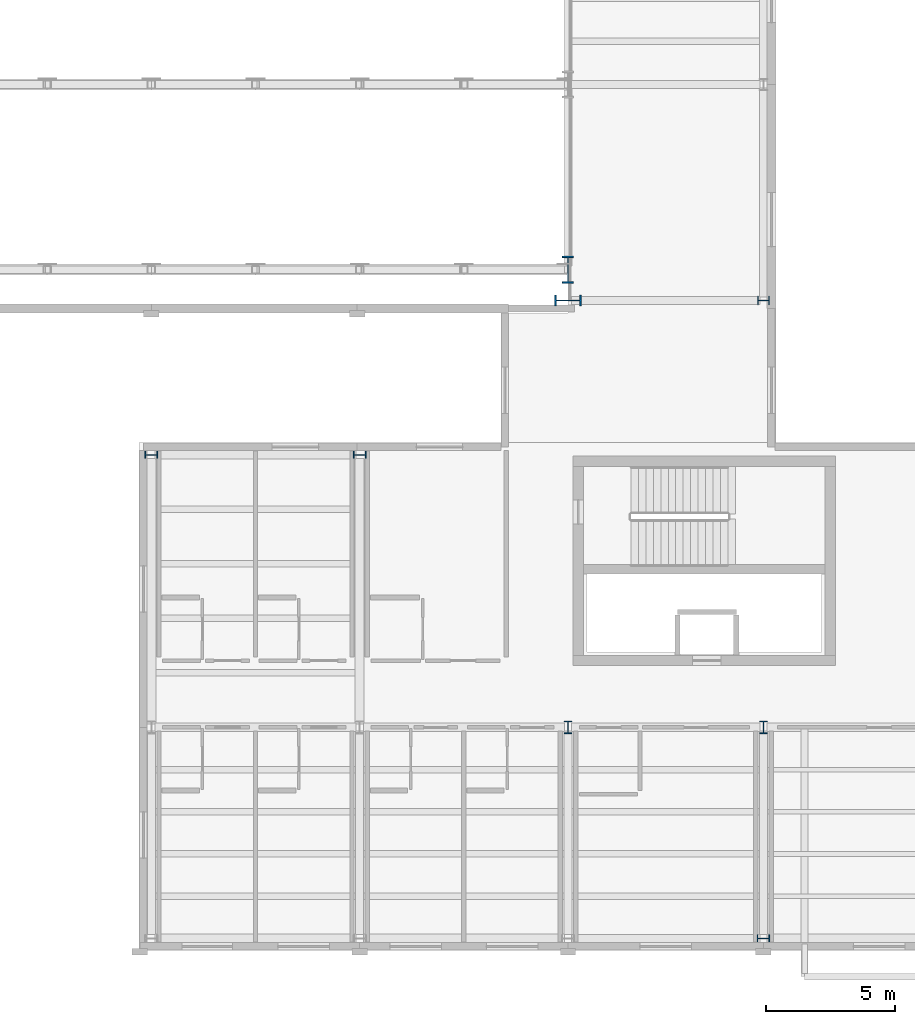
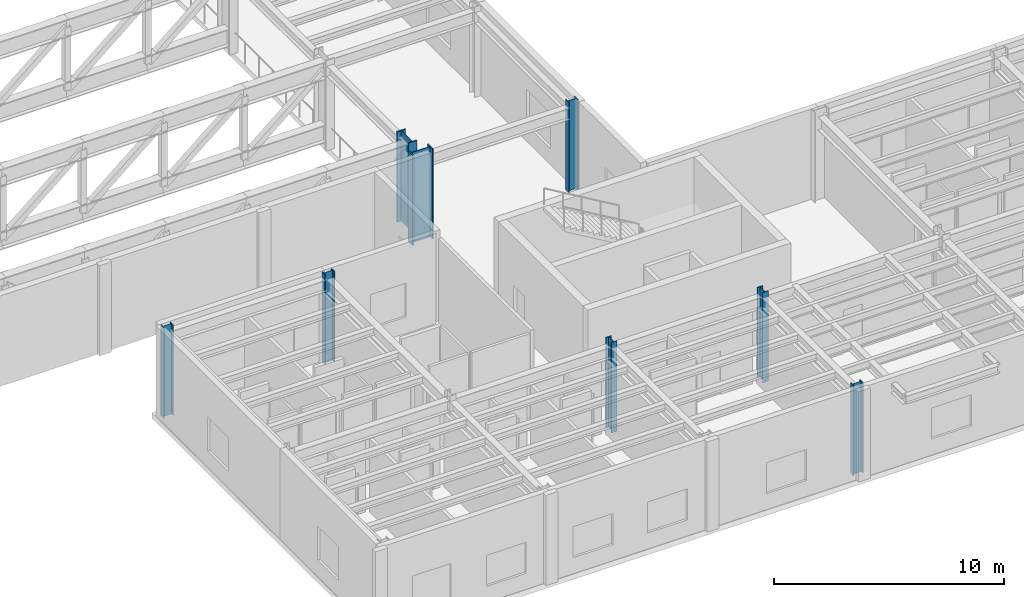
# One storey, part 2 of 91: 8 columns.
"""IFC4 building model written with IfcOpenShell, lengths in metres."""

import ifcopenshell
import ifcopenshell.guid

model = None  # the IFC model being written
_history = None  # IfcOwnerHistory: only IFC2X3 demands one
_inside = {}  # id of a spatial element -> (the spatial element, [elements in it])
_under = {}  # id of a project, library or spatial element -> (it, [spatial elements below it])
_declared = {}  # id of a project -> (the project, [libraries it declares])
_typed = {}  # id of a type object -> (the type object, [elements of that type])
_made_of = {}  # id of a material, layer set ... -> (it, [elements and type objects made of it])


def new_model(schema):
    """Start an empty IFC model of exactly this schema.

    Asked for "IFC4X3", IfcOpenShell would pick the latest addendum, in which some entities
    have other attributes; the version numbers below select the first issue.
    IFC2X3 requires an IfcOwnerHistory on every rooted entity: one is made here for all.
    """
    global model, _history
    if schema == "IFC4X3":
        model = ifcopenshell.file(schema_version=(4, 3, 0, 0))
    else:
        model = ifcopenshell.file(schema=schema)
    _inside.clear()
    _under.clear()
    _declared.clear()
    _typed.clear()
    _made_of.clear()
    _history = None
    if model.schema == "IFC2X3":
        org = make("IfcOrganization", Name="unknown")
        user = make(
            "IfcPersonAndOrganization",
            ThePerson=make("IfcPerson", FamilyName="unknown"),
            TheOrganization=org,
        )
        app = make(
            "IfcApplication",
            ApplicationDeveloper=org,
            Version="unknown",
            ApplicationFullName="unknown",
            ApplicationIdentifier="unknown",
        )
        _history = make(
            "IfcOwnerHistory",
            OwningUser=user,
            OwningApplication=app,
            ChangeAction="ADDED",
            CreationDate=0,
        )
    return model


def make(cls, **values):
    """One entity of the class cls with the attributes given. An attribute that is None is left unset."""
    return model.create_entity(
        cls, **{name: value for name, value in values.items() if value is not None}
    )


def rooted(cls, **values):
    """An entity with a GlobalId (a new one), such as an element, a storey or a relation."""
    return make(cls, GlobalId=ifcopenshell.guid.new(), OwnerHistory=_history, **values)


def si_unit(unit_type, name, prefix=None):
    """IfcSIUnit, for example si_unit("LENGTHUNIT", "METRE", prefix="MILLI")."""
    return make("IfcSIUnit", UnitType=unit_type, Prefix=prefix, Name=name)


def assignment(units):
    """IfcUnitAssignment: the units of a project."""
    return None if units is None else make("IfcUnitAssignment", Units=units)


def point(xyz):
    """IfcCartesianPoint."""
    return None if xyz is None else make("IfcCartesianPoint", Coordinates=xyz)


def direction(xyz):
    """IfcDirection."""
    return None if xyz is None else make("IfcDirection", DirectionRatios=xyz)


def frame(location, z_axis=None, x_axis=None):
    """IfcAxis2Placement3D, a coordinate frame: its origin and axes. An axis left out is left unset."""
    return make(
        "IfcAxis2Placement3D",
        Location=point(location),
        Axis=direction(z_axis),
        RefDirection=direction(x_axis),
    )


def frame_2d(location, x_axis=None):
    """IfcAxis2Placement2D, a coordinate frame in the plane: its origin and x axis."""
    return make(
        "IfcAxis2Placement2D", Location=point(location), RefDirection=direction(x_axis)
    )


def origin():
    """The frame at (0, 0, 0) with its axes left unset."""
    return frame((0.0, 0.0, 0.0))


def origin_2d():
    """The frame at (0, 0) in the plane with its x axis left unset."""
    return frame_2d((0.0, 0.0))


def place(relative_to, where):
    """IfcLocalPlacement: puts the frame where relative to a parent placement (None: the world)."""
    return make(
        "IfcLocalPlacement", PlacementRelTo=relative_to, RelativePlacement=where
    )


def context(
    kind, dimensions, precision=None, world=None, true_north=None, identifier=None
):
    """IfcGeometricRepresentationContext, for example the 3D "Model" context."""
    return make(
        "IfcGeometricRepresentationContext",
        ContextIdentifier=identifier,
        ContextType=kind,
        CoordinateSpaceDimension=dimensions,
        Precision=precision,
        WorldCoordinateSystem=world,
        TrueNorth=true_north,
    )


def subcontext(parent, identifier, kind, view, scale=None):
    """IfcGeometricRepresentationSubContext, for example "Body" below "Model"."""
    return make(
        "IfcGeometricRepresentationSubContext",
        ContextIdentifier=identifier,
        ContextType=kind,
        ParentContext=parent,
        TargetScale=scale,
        TargetView=view,
    )


def project(units=None, contexts=None):
    """IfcProject with its units and contexts."""
    return rooted(
        "IfcProject",
        Name="project",
        RepresentationContexts=contexts,
        UnitsInContext=assignment(units),
    )


def spatial(cls, under=None, at=None, **own):
    """A site, building, storey or space (cls), placed at a placement, below another one or the project."""
    s = rooted(cls, ObjectPlacement=at, **own)
    if under is not None:
        _under.setdefault(under.id(), (under, []))[1].append(s)
    return s


def profile(cls, at=None, kind="AREA", **sizes):
    """A parametric profile (cls). Its sizes go by their IFC names, for example OverallWidth=200.0."""
    return make(cls, ProfileType=kind, Position=at, **sizes)


def i_section(**sizes):
    """IfcIShapeProfileDef."""
    return profile("IfcIShapeProfileDef", **sizes)


def extrude(swept, where, along, depth):
    """IfcExtrudedAreaSolid: the profile swept, set in the frame where, extruded along a direction by depth."""
    return make(
        "IfcExtrudedAreaSolid",
        SweptArea=swept,
        Position=where,
        ExtrudedDirection=direction(along),
        Depth=depth,
    )


def shape(context_of_items, identifier, shape_type, items):
    """IfcShapeRepresentation: the items that make up one representation, for example the "Body"."""
    return make(
        "IfcShapeRepresentation",
        ContextOfItems=context_of_items,
        RepresentationIdentifier=identifier,
        RepresentationType=shape_type,
        Items=items,
    )


def material(Name=None, Category=None):
    """IfcMaterial."""
    return make("IfcMaterial", Name=Name, Category=Category)


def material_profile(
    of_material, cross_section, Name=None, Category=None, Priority=None
):
    """IfcMaterialProfile: a cross section and its material."""
    return make(
        "IfcMaterialProfile",
        Name=Name,
        Material=of_material,
        Profile=cross_section,
        Priority=Priority,
        Category=Category,
    )


def profile_set(profiles, Name=None, composite=None):
    """IfcMaterialProfileSet."""
    return make(
        "IfcMaterialProfileSet",
        Name=Name,
        MaterialProfiles=profiles,
        CompositeProfile=composite,
    )


def made_of(thing, what):
    """Note that an element or type object is made of a material, layer set ...; save() writes the relation."""
    if what is not None:
        _made_of.setdefault(what.id(), (what, []))[1].append(thing)
    return thing


def type_object(cls, material=None, **own):
    """A type object (cls), such as IfcWallType, which elements share."""
    return made_of(rooted(cls, **own), material)


def element(
    cls,
    number,
    at=None,
    inside=None,
    cuts=None,
    type_object=None,
    material=None,
    context=None,
    identifier="Body",
    shape_type=None,
    held_by="IfcProductDefinitionShape",
    body=None,
    shapes=None,
    **own,
):
    """One element of the class cls, such as IfcWall. Its Tag is "e" and its number.

    at: its placement. inside: the storey or other place that contains it. cuts: it is an
    opening in that element (IfcRelVoidsElement). A single representation is given by context,
    identifier, shape_type and body (its items); several are given by shapes. held_by: the class
    of the entity that holds the representations. save() writes the other relations.
    """
    e = rooted(cls, Tag="e%d" % number, ObjectPlacement=at, **own)
    if body is not None:
        shapes = [shape(context, identifier, shape_type, body)]
    if shapes is not None:
        e.Representation = make(held_by, Representations=shapes)
    if inside is not None:
        _inside.setdefault(inside.id(), (inside, []))[1].append(e)
    if cuts is not None:
        rooted(
            "IfcRelVoidsElement", RelatingBuildingElement=cuts, RelatedOpeningElement=e
        )
    if type_object is not None:
        _typed.setdefault(type_object.id(), (type_object, []))[1].append(e)
    return made_of(e, material)


def aggregate(whole, parts):
    """IfcRelAggregates: a whole, such as a stair, and the parts it consists of."""
    return rooted("IfcRelAggregates", RelatingObject=whole, RelatedObjects=parts)


def save(model, path):
    """Write the relations noted so far, then the file.

    IfcRelAggregates (storeys below a building ...), IfcRelContainedInSpatialStructure (elements
    in a storey), IfcRelDefinesByType, IfcRelAssociatesMaterial and IfcRelDeclares: one each for
    every whole, place, type object, material and project.
    """
    for whole, parts in _under.values():
        aggregate(whole, parts)
    for where, things in _inside.values():
        rooted(
            "IfcRelContainedInSpatialStructure",
            RelatedElements=things,
            RelatingStructure=where,
        )
    for kind, things in _typed.values():
        rooted("IfcRelDefinesByType", RelatedObjects=things, RelatingType=kind)
    for what, things in _made_of.values():
        rooted("IfcRelAssociatesMaterial", RelatedObjects=things, RelatingMaterial=what)
    for by, libraries in _declared.values():
        rooted("IfcRelDeclares", RelatingContext=by, RelatedDefinitions=libraries)
    model.write(path)


model = new_model("IFC4")

# Units and contexts
model_context = context("Model", 3, precision=1e-05, world=origin(), true_north=direction((0.0, 1.0)))
body_context = subcontext(model_context, "Body", "Model", "MODEL_VIEW")
ifc_project = project(units=[si_unit("LENGTHUNIT", "METRE"), si_unit("AREAUNIT", "SQUARE_METRE"), si_unit("VOLUMEUNIT", "CUBIC_METRE"), si_unit("PLANEANGLEUNIT", "RADIAN"), si_unit("MASSUNIT", "GRAM", prefix="KILO")], contexts=[model_context])

# Site, building, storey
site_placement = place(None, origin())
site = spatial("IfcSite", under=ifc_project, at=site_placement, CompositionType="ELEMENT")
building_placement = place(site_placement, origin())
building = spatial("IfcBuilding", under=site, at=building_placement, Name="Sollismere Congress Hotel", CompositionType="ELEMENT")
storey_placement = place(building_placement, frame((0.0, 0.0, 10.800048828125)))
storey = spatial("IfcBuildingStorey", under=building, at=storey_placement, Name="L02", CompositionType="ELEMENT", Elevation=10.800048828125)

# Columns
ifc_material = material(Name="Steel ASTM A992 Grade 50", Category="steel")
ifc_material_profile_1 = material_profile(ifc_material, i_section(OverallWidth=0.330078125, OverallDepth=0.4599609375, WebThickness=0.016357421875, FlangeThickness=0.026123046875, at=origin_2d()), Name="W14X132")
ifc_profile_set_1 = profile_set([ifc_material_profile_1], Name="Steel ASTM A992 Grade 50")
column_type_1 = type_object("IfcColumnType", Name="COL-W14H", PredefinedType="COLUMN", material=ifc_profile_set_1)
column_placement = place(storey_placement, frame((58.0, 24.800048828125, 0.0), z_axis=(0.0, 0.0, 1.0), x_axis=(0.0, 1.0, 0.0)))
element("IfcColumn", 1, at=column_placement, inside=storey, type_object=column_type_1, Name="Column CL-L02-247", PredefinedType="COLUMN", context=body_context, shape_type="SweptSolid", body=[
    extrude(i_section(OverallWidth=0.330078125, OverallDepth=0.4599609375, WebThickness=0.016357421875, FlangeThickness=0.026123046875, at=origin_2d()), origin(), (0.0, 0.0, 1.0), 4.800048828125),
])
ifc_material_profile_2 = material_profile(ifc_material, i_section(OverallWidth=0.283935546875, OverallDepth=0.4951171875, WebThickness=0.0185546875, FlangeThickness=0.033447265625, at=origin_2d()), Name="W18X143")
ifc_profile_set_2 = profile_set([ifc_material_profile_2], Name="Steel ASTM A992 Grade 50")
column_type_2 = type_object("IfcColumnType", Name="COL-W18", PredefinedType="COLUMN", material=ifc_profile_set_2)
for number, where, z_axis, x_axis, name in (
    (2, (34.199951171875, 18.800048828125, 0.0), (0.0, 0.0, 1.0), (0.0, 1.0, 0.0), "Column CL-L02-134"),
    (3, (42.300048828125, 18.800048828125, 0.0), (0.0, 0.0, 1.0), (0.0, 1.0, 0.0), "Column CL-L02-169"),
    (4, (50.39990234375, 8.199951171875, 0.0), (0.0, 0.0, 1.0), (1.0, 0.0, 0.0), "Column CL-L02-196"),
    (5, (58.0, 0.0, 0.0), (0.0, 0.0, 1.0), (0.0, 1.0, 0.0), "Column CL-L02-231"),
    (6, (58.0, 8.199951171875, 0.0), (0.0, 0.0, 1.0), (1.0, 0.0, 0.0), "Column CL-L02-239"),
):
    element("IfcColumn", number, at=place(storey_placement, frame(where, z_axis=z_axis, x_axis=x_axis)), inside=storey, type_object=column_type_2, Name=name, PredefinedType="COLUMN", context=body_context, shape_type="SweptSolid", body=[
        extrude(i_section(OverallWidth=0.283935546875, OverallDepth=0.4951171875, WebThickness=0.0185546875, FlangeThickness=0.033447265625, at=origin_2d()), origin(), (0.0, 0.0, 1.0), 4.800048828125),
    ])
ifc_material_profile_3 = material_profile(ifc_material, i_section(OverallWidth=0.427001953125, OverallDepth=1.041015625, WebThickness=0.031005859375, FlangeThickness=0.055908203125, at=origin_2d()), Name="W40X397")
ifc_profile_set_3 = profile_set([ifc_material_profile_3], Name="Steel ASTM A992 Grade 50")
column_type_3 = type_object("IfcColumnType", Name="COL-W40", PredefinedType="COLUMN", material=ifc_profile_set_3)
for number, where, z_axis, x_axis, name in (
    (7, (50.39990234375, 24.800048828125, 0.0), (0.0, 0.0, 1.0), (0.0, 1.0, 0.0), "Column CL-L02-204"),
    (8, (50.39990234375, 26.0, 0.0), (0.0, 0.0, 1.0), (1.0, 0.0, 0.0), "Column CL-L02-1137"),
):
    element("IfcColumn", number, at=place(storey_placement, frame(where, z_axis=z_axis, x_axis=x_axis)), inside=storey, type_object=column_type_3, Name=name, PredefinedType="COLUMN", context=body_context, shape_type="SweptSolid", body=[
        extrude(i_section(OverallWidth=0.427001953125, OverallDepth=1.041015625, WebThickness=0.031005859375, FlangeThickness=0.055908203125, at=origin_2d()), origin(), (0.0, 0.0, 1.0), 4.800048828125),
    ])

save(model, "model.ifc")
